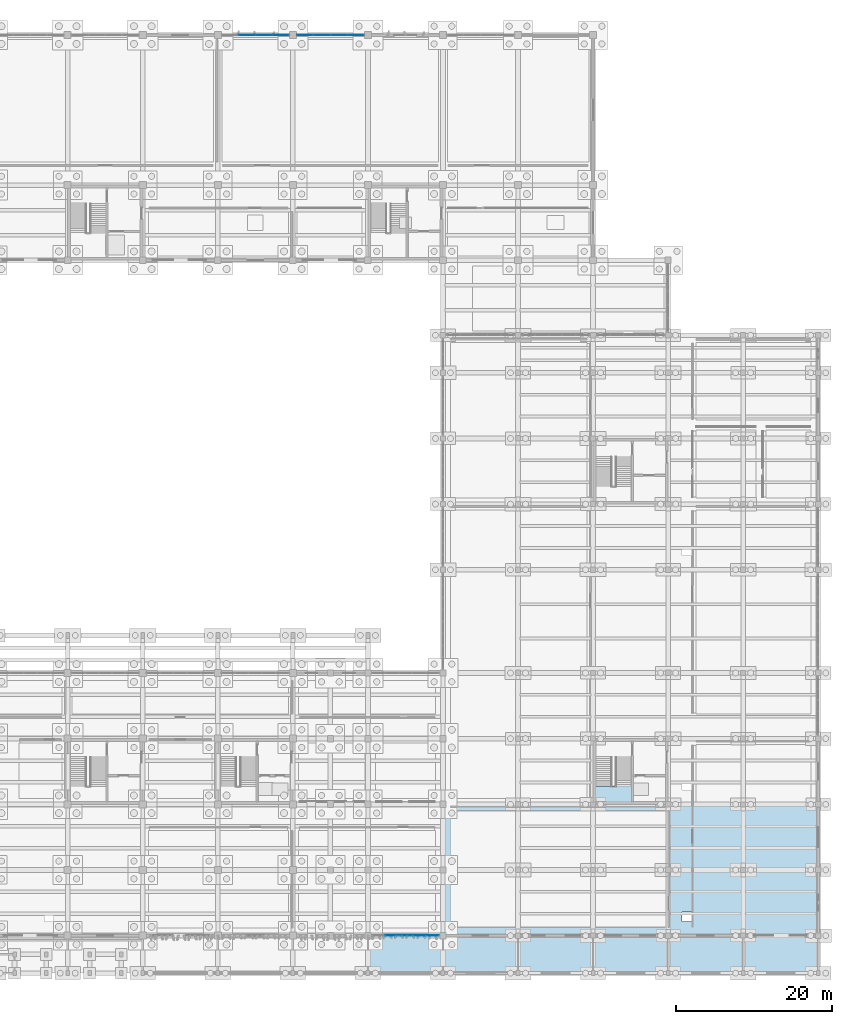
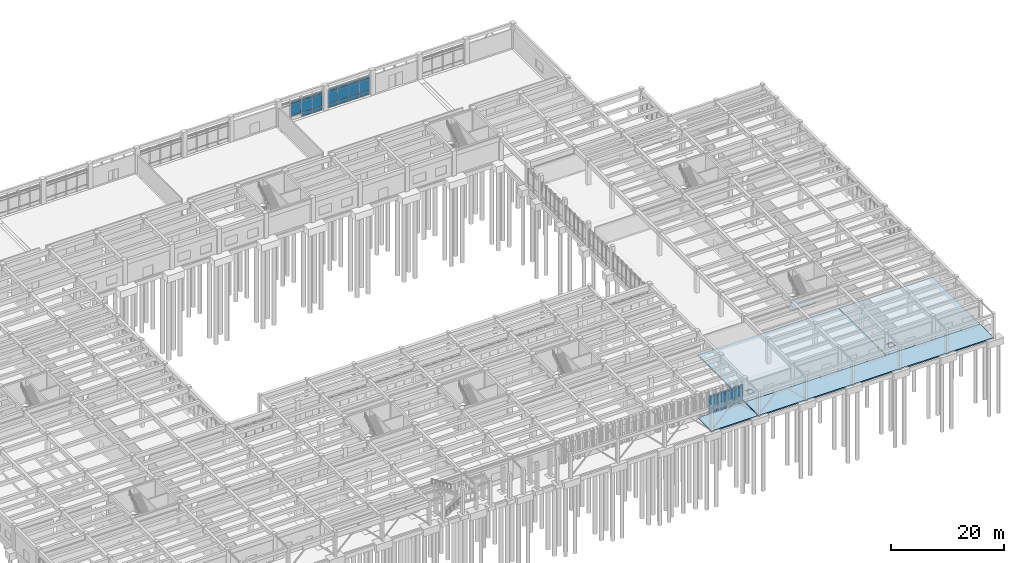
# One storey, part 62 of 102: 32 plates, 5 slabs, 4 elements without a shape of their own.
"""IFC4 building model written with IfcOpenShell, lengths in metres."""

from ifc_helpers import new_model, si_unit, direction, frame, origin, origin_2d, place, context, subcontext, project, spatial, polyline, rectangle, outline, extrude, material, layer, layer_set, type_object, element, aggregate, save


model = new_model("IFC4")

# Units and contexts
model_context = context("Model", 3, precision=1e-05, world=origin(), true_north=direction((0.0, 1.0)))
body_context = subcontext(model_context, "Body", "Model", "MODEL_VIEW")
ifc_project = project(units=[si_unit("LENGTHUNIT", "METRE"), si_unit("AREAUNIT", "SQUARE_METRE"), si_unit("VOLUMEUNIT", "CUBIC_METRE"), si_unit("PLANEANGLEUNIT", "RADIAN"), si_unit("MASSUNIT", "GRAM", prefix="KILO")], contexts=[model_context])

# Site, building, storey
site_placement = place(None, origin())
site = spatial("IfcSite", under=ifc_project, at=site_placement, CompositionType="ELEMENT")
building_placement = place(site_placement, origin())
building = spatial("IfcBuilding", under=site, at=building_placement, Name="Kolvemor Railside Polytechnic", CompositionType="ELEMENT")
storey_placement = place(building_placement, origin())
storey = spatial("IfcBuildingStorey", under=building, at=storey_placement, Name="L00", CompositionType="ELEMENT", Elevation=0.0)

# Curtain wall, plates
ifc_material_1 = material(Name="Anodised marine aluminium and laminated low-E glass", Category="aluminium")
ifc_layer_1 = layer(ifc_material_1, 0.179931640625, Name="CW-UNIT-WKS")
ifc_layer_set_1 = layer_set([ifc_layer_1], Name="Anodised marine aluminium and laminated low-E glass")
curtain_wall_type_1 = type_object("IfcCurtainWallType", Name="CW-UNIT-WKS", PredefinedType="USERDEFINED", material=ifc_layer_set_1)
curtain_wall_1_placement = place(storey_placement, origin())
curtain_wall_1 = element("IfcCurtainWall", 1, at=curtain_wall_1_placement, inside=storey, type_object=curtain_wall_type_1, Name="Curtain Wall L00-019", ObjectType="UNITISED CURTAIN WALL", PredefinedType="USERDEFINED")
ifc_material_2 = material(Name="Hurricane-laminated solar-control low-E glass", Category="glass")
ifc_layer_2 = layer(ifc_material_2, 0.0419921875, Name="CWP-GLZ-11")
ifc_layer_set_2 = layer_set([ifc_layer_2], Name="Hurricane-laminated solar-control low-E glass")
plate_type_1 = type_object("IfcPlateType", Name="CWP-GLZ-11", PredefinedType="CURTAIN_PANEL", material=ifc_layer_set_2)
plate_1_placement = place(storey_placement, frame((113.628662109375, 120.0, 0.074951171875), z_axis=(0.0, 0.0, 1.0), x_axis=(-1.0, 0.0, 0.0)))
plate_1 = element("IfcPlate", 2, at=plate_1_placement, type_object=plate_type_1, Name="CW-WKS panel 1.1", PredefinedType="CURTAIN_PANEL", context=body_context, shape_type="SweptSolid", body=[
    extrude(rectangle(XDim=2.052490234375, YDim=0.0419921875, at=origin_2d()), origin(), (0.0, 0.0, 1.0), 0.78759765625),
])
plate_2_placement = place(storey_placement, frame((113.628662109375, 120.0, 0.9375), z_axis=(0.0, 0.0, 1.0), x_axis=(-1.0, 0.0, 0.0)))
plate_2 = element("IfcPlate", 3, at=plate_2_placement, type_object=plate_type_1, Name="CW-WKS panel 1.2", PredefinedType="CURTAIN_PANEL", context=body_context, shape_type="SweptSolid", body=[
    extrude(rectangle(XDim=2.052490234375, YDim=0.0419921875, at=origin_2d()), origin(), (0.0, 0.0, 1.0), 2.514892578125),
])
plate_3_placement = place(storey_placement, frame((113.628662109375, 120.0, 3.527587890625), z_axis=(0.0, 0.0, 1.0), x_axis=(-1.0, 0.0, 0.0)))
plate_3 = element("IfcPlate", 4, at=plate_3_placement, type_object=plate_type_1, Name="CW-WKS panel 1.3", PredefinedType="CURTAIN_PANEL", context=body_context, shape_type="SweptSolid", body=[
    extrude(rectangle(XDim=2.052490234375, YDim=0.0419921875, at=origin_2d()), origin(), (0.0, 0.0, 1.0), 0.4375),
])
plate_4_placement = place(storey_placement, frame((111.482421875, 120.0, 0.074951171875), z_axis=(0.0, 0.0, 1.0), x_axis=(-1.0, 0.0, 0.0)))
plate_4 = element("IfcPlate", 5, at=plate_4_placement, type_object=plate_type_1, Name="CW-WKS panel 2.1", PredefinedType="CURTAIN_PANEL", context=body_context, shape_type="SweptSolid", body=[
    extrude(rectangle(XDim=2.090087890625, YDim=0.0419921875, at=origin_2d()), origin(), (0.0, 0.0, 1.0), 0.78759765625),
])
plate_5_placement = place(storey_placement, frame((111.482421875, 120.0, 0.9375), z_axis=(0.0, 0.0, 1.0), x_axis=(-1.0, 0.0, 0.0)))
plate_5 = element("IfcPlate", 6, at=plate_5_placement, type_object=plate_type_1, Name="CW-WKS panel 2.2", PredefinedType="CURTAIN_PANEL", context=body_context, shape_type="SweptSolid", body=[
    extrude(rectangle(XDim=2.090087890625, YDim=0.0419921875, at=origin_2d()), origin(), (0.0, 0.0, 1.0), 2.514892578125),
])
plate_6_placement = place(storey_placement, frame((111.482421875, 120.0, 3.527587890625), z_axis=(0.0, 0.0, 1.0), x_axis=(-1.0, 0.0, 0.0)))
plate_6 = element("IfcPlate", 7, at=plate_6_placement, type_object=plate_type_1, Name="CW-WKS panel 2.3", PredefinedType="CURTAIN_PANEL", context=body_context, shape_type="SweptSolid", body=[
    extrude(rectangle(XDim=2.090087890625, YDim=0.0419921875, at=origin_2d()), origin(), (0.0, 0.0, 1.0), 0.4375),
])
plate_7_placement = place(storey_placement, frame((109.3173828125, 120.0, 0.9375), z_axis=(0.0, 0.0, 1.0), x_axis=(-1.0, 0.0, 0.0)))
plate_7 = element("IfcPlate", 8, at=plate_7_placement, type_object=plate_type_1, Name="CW-WKS panel 3.2", PredefinedType="CURTAIN_PANEL", context=body_context, shape_type="SweptSolid", body=[
    extrude(rectangle(XDim=2.090087890625, YDim=0.0419921875, at=origin_2d()), origin(), (0.0, 0.0, 1.0), 2.514892578125),
])
plate_8_placement = place(storey_placement, frame((109.3173828125, 120.0, 3.527587890625), z_axis=(0.0, 0.0, 1.0), x_axis=(-1.0, 0.0, 0.0)))
plate_8 = element("IfcPlate", 9, at=plate_8_placement, type_object=plate_type_1, Name="CW-WKS panel 3.3", PredefinedType="CURTAIN_PANEL", context=body_context, shape_type="SweptSolid", body=[
    extrude(rectangle(XDim=2.090087890625, YDim=0.0419921875, at=origin_2d()), origin(), (0.0, 0.0, 1.0), 0.4375),
])
aggregate(curtain_wall_1, [plate_1, plate_2, plate_3, plate_4, plate_5, plate_6, plate_7, plate_8])

curtain_wall_2_placement = place(storey_placement, origin())
curtain_wall_2 = element("IfcCurtainWall", 10, at=curtain_wall_2_placement, inside=storey, type_object=curtain_wall_type_1, Name="Curtain Wall L00-022", ObjectType="UNITISED CURTAIN WALL", PredefinedType="USERDEFINED")
ifc_material_3 = material(Name="Hurricane-laminated solar-control low-E glass", Category="glass")
ifc_layer_3 = layer(ifc_material_3, 0.0439453125, Name="CWP-GLZ-12")
ifc_layer_set_3 = layer_set([ifc_layer_3], Name="Hurricane-laminated solar-control low-E glass")
plate_type_2 = type_object("IfcPlateType", Name="CWP-GLZ-12", PredefinedType="CURTAIN_PANEL", material=ifc_layer_set_3)
plate_9_placement = place(storey_placement, frame((123.228759765625, 120.0, 0.074951171875), z_axis=(0.0, 0.0, 1.0), x_axis=(-1.0, 0.0, 0.0)))
plate_9 = element("IfcPlate", 11, at=plate_9_placement, type_object=plate_type_2, Name="CW-WKS panel 1.1", PredefinedType="CURTAIN_PANEL", context=body_context, shape_type="SweptSolid", body=[
    extrude(rectangle(XDim=2.052490234375, YDim=0.0439453125, at=origin_2d()), origin(), (0.0, 0.0, 1.0), 0.78759765625),
])
plate_10_placement = place(storey_placement, frame((123.228759765625, 120.0, 0.9375), z_axis=(0.0, 0.0, 1.0), x_axis=(-1.0, 0.0, 0.0)))
plate_10 = element("IfcPlate", 12, at=plate_10_placement, type_object=plate_type_2, Name="CW-WKS panel 1.2", PredefinedType="CURTAIN_PANEL", context=body_context, shape_type="SweptSolid", body=[
    extrude(rectangle(XDim=2.052490234375, YDim=0.0439453125, at=origin_2d()), origin(), (0.0, 0.0, 1.0), 2.514892578125),
])
plate_11_placement = place(storey_placement, frame((123.228759765625, 120.0, 3.527587890625), z_axis=(0.0, 0.0, 1.0), x_axis=(-1.0, 0.0, 0.0)))
plate_11 = element("IfcPlate", 13, at=plate_11_placement, type_object=plate_type_2, Name="CW-WKS panel 1.3", PredefinedType="CURTAIN_PANEL", context=body_context, shape_type="SweptSolid", body=[
    extrude(rectangle(XDim=2.052490234375, YDim=0.0439453125, at=origin_2d()), origin(), (0.0, 0.0, 1.0), 0.4375),
])
plate_12_placement = place(storey_placement, frame((121.08251953125, 120.0, 0.074951171875), z_axis=(0.0, 0.0, 1.0), x_axis=(-1.0, 0.0, 0.0)))
plate_12 = element("IfcPlate", 14, at=plate_12_placement, type_object=plate_type_2, Name="CW-WKS panel 2.1", PredefinedType="CURTAIN_PANEL", context=body_context, shape_type="SweptSolid", body=[
    extrude(rectangle(XDim=2.090087890625, YDim=0.0439453125, at=origin_2d()), origin(), (0.0, 0.0, 1.0), 0.78759765625),
])
plate_13_placement = place(storey_placement, frame((121.08251953125, 120.0, 0.9375), z_axis=(0.0, 0.0, 1.0), x_axis=(-1.0, 0.0, 0.0)))
plate_13 = element("IfcPlate", 15, at=plate_13_placement, type_object=plate_type_2, Name="CW-WKS panel 2.2", PredefinedType="CURTAIN_PANEL", context=body_context, shape_type="SweptSolid", body=[
    extrude(rectangle(XDim=2.090087890625, YDim=0.0439453125, at=origin_2d()), origin(), (0.0, 0.0, 1.0), 2.514892578125),
])
plate_14_placement = place(storey_placement, frame((121.08251953125, 120.0, 3.527587890625), z_axis=(0.0, 0.0, 1.0), x_axis=(-1.0, 0.0, 0.0)))
plate_14 = element("IfcPlate", 16, at=plate_14_placement, type_object=plate_type_2, Name="CW-WKS panel 2.3", PredefinedType="CURTAIN_PANEL", context=body_context, shape_type="SweptSolid", body=[
    extrude(rectangle(XDim=2.090087890625, YDim=0.0439453125, at=origin_2d()), origin(), (0.0, 0.0, 1.0), 0.4375),
])
plate_15_placement = place(storey_placement, frame((118.91748046875, 120.0, 0.074951171875), z_axis=(0.0, 0.0, 1.0), x_axis=(-1.0, 0.0, 0.0)))
plate_15 = element("IfcPlate", 17, at=plate_15_placement, type_object=plate_type_2, Name="CW-WKS panel 3.1", PredefinedType="CURTAIN_PANEL", context=body_context, shape_type="SweptSolid", body=[
    extrude(rectangle(XDim=2.090087890625, YDim=0.0439453125, at=origin_2d()), origin(), (0.0, 0.0, 1.0), 0.78759765625),
])
plate_16_placement = place(storey_placement, frame((118.91748046875, 120.0, 0.9375), z_axis=(0.0, 0.0, 1.0), x_axis=(-1.0, 0.0, 0.0)))
plate_16 = element("IfcPlate", 18, at=plate_16_placement, type_object=plate_type_2, Name="CW-WKS panel 3.2", PredefinedType="CURTAIN_PANEL", context=body_context, shape_type="SweptSolid", body=[
    extrude(rectangle(XDim=2.090087890625, YDim=0.0439453125, at=origin_2d()), origin(), (0.0, 0.0, 1.0), 2.514892578125),
])
plate_17_placement = place(storey_placement, frame((118.91748046875, 120.0, 3.527587890625), z_axis=(0.0, 0.0, 1.0), x_axis=(-1.0, 0.0, 0.0)))
plate_17 = element("IfcPlate", 19, at=plate_17_placement, type_object=plate_type_2, Name="CW-WKS panel 3.3", PredefinedType="CURTAIN_PANEL", context=body_context, shape_type="SweptSolid", body=[
    extrude(rectangle(XDim=2.090087890625, YDim=0.0439453125, at=origin_2d()), origin(), (0.0, 0.0, 1.0), 0.4375),
])
plate_18_placement = place(storey_placement, frame((116.771240234375, 120.0, 0.074951171875), z_axis=(0.0, 0.0, 1.0), x_axis=(-1.0, 0.0, 0.0)))
plate_18 = element("IfcPlate", 20, at=plate_18_placement, type_object=plate_type_2, Name="CW-WKS panel 4.1", PredefinedType="CURTAIN_PANEL", context=body_context, shape_type="SweptSolid", body=[
    extrude(rectangle(XDim=2.052490234375, YDim=0.0439453125, at=origin_2d()), origin(), (0.0, 0.0, 1.0), 0.78759765625),
])
plate_19_placement = place(storey_placement, frame((116.771240234375, 120.0, 0.9375), z_axis=(0.0, 0.0, 1.0), x_axis=(-1.0, 0.0, 0.0)))
plate_19 = element("IfcPlate", 21, at=plate_19_placement, type_object=plate_type_2, Name="CW-WKS panel 4.2", PredefinedType="CURTAIN_PANEL", context=body_context, shape_type="SweptSolid", body=[
    extrude(rectangle(XDim=2.052490234375, YDim=0.0439453125, at=origin_2d()), origin(), (0.0, 0.0, 1.0), 2.514892578125),
])
plate_20_placement = place(storey_placement, frame((116.771240234375, 120.0, 3.527587890625), z_axis=(0.0, 0.0, 1.0), x_axis=(-1.0, 0.0, 0.0)))
plate_20 = element("IfcPlate", 22, at=plate_20_placement, type_object=plate_type_2, Name="CW-WKS panel 4.3", PredefinedType="CURTAIN_PANEL", context=body_context, shape_type="SweptSolid", body=[
    extrude(rectangle(XDim=2.052490234375, YDim=0.0439453125, at=origin_2d()), origin(), (0.0, 0.0, 1.0), 0.4375),
])
aggregate(curtain_wall_2, [plate_9, plate_10, plate_11, plate_12, plate_13, plate_14, plate_15, plate_16, plate_17, plate_18, plate_19, plate_20])

ifc_material_4 = material(Name="Anodised marine aluminium and laminated low-E glass", Category="aluminium")
ifc_layer_4 = layer(ifc_material_4, 0.179931640625, Name="CW-UNIT-STD")
ifc_layer_set_4 = layer_set([ifc_layer_4], Name="Anodised marine aluminium and laminated low-E glass")
curtain_wall_type_2 = type_object("IfcCurtainWallType", Name="CW-UNIT-STD", PredefinedType="USERDEFINED", material=ifc_layer_set_4)
curtain_wall_3_placement = place(storey_placement, origin())
curtain_wall_3 = element("IfcCurtainWall", 23, at=curtain_wall_3_placement, inside=storey, type_object=curtain_wall_type_2, Name="Curtain Wall L00-095", ObjectType="UNITISED CURTAIN WALL", PredefinedType="USERDEFINED")
ifc_material_5 = material(Name="Hurricane-laminated solar-control low-E glass", Category="glass")
ifc_layer_5 = layer(ifc_material_5, 0.053955078125, Name="CWP-GLZ-17")
ifc_layer_set_5 = layer_set([ifc_layer_5], Name="Hurricane-laminated solar-control low-E glass")
plate_type_3 = type_object("IfcPlateType", Name="CWP-GLZ-17", PredefinedType="CURTAIN_PANEL", material=ifc_layer_set_5)
plate_21_placement = place(storey_placement, frame((127.867919921875, 4.800048828125, 0.074951171875), z_axis=(0.0, 0.0, 1.0), x_axis=(1.0, 0.0, 0.0)))
plate_21 = element("IfcPlate", 24, at=plate_21_placement, type_object=plate_type_3, Name="CW-STD panel 2.1", PredefinedType="CURTAIN_PANEL", context=body_context, shape_type="SweptSolid", body=[
    extrude(rectangle(XDim=1.656982421875, YDim=0.053955078125, at=origin_2d()), origin(), (0.0, 0.0, 1.0), 0.78759765625),
])
plate_22_placement = place(storey_placement, frame((127.867919921875, 4.800048828125, 0.9375), z_axis=(0.0, 0.0, 1.0), x_axis=(1.0, 0.0, 0.0)))
plate_22 = element("IfcPlate", 25, at=plate_22_placement, type_object=plate_type_3, Name="CW-STD panel 2.2", PredefinedType="CURTAIN_PANEL", context=body_context, shape_type="SweptSolid", body=[
    extrude(rectangle(XDim=1.656982421875, YDim=0.053955078125, at=origin_2d()), origin(), (0.0, 0.0, 1.0), 2.514892578125),
])
plate_23_placement = place(storey_placement, frame((127.867919921875, 4.800048828125, 3.527587890625), z_axis=(0.0, 0.0, 1.0), x_axis=(1.0, 0.0, 0.0)))
plate_23 = element("IfcPlate", 26, at=plate_23_placement, type_object=plate_type_3, Name="CW-STD panel 2.3", PredefinedType="CURTAIN_PANEL", context=body_context, shape_type="SweptSolid", body=[
    extrude(rectangle(XDim=1.656982421875, YDim=0.053955078125, at=origin_2d()), origin(), (0.0, 0.0, 1.0), 0.4375),
])
plate_24_placement = place(storey_placement, frame((129.60009765625, 4.800048828125, 0.074951171875), z_axis=(0.0, 0.0, 1.0), x_axis=(1.0, 0.0, 0.0)))
plate_24 = element("IfcPlate", 27, at=plate_24_placement, type_object=plate_type_3, Name="CW-STD panel 3.1", PredefinedType="CURTAIN_PANEL", context=body_context, shape_type="SweptSolid", body=[
    extrude(rectangle(XDim=1.656982421875, YDim=0.053955078125, at=origin_2d()), origin(), (0.0, 0.0, 1.0), 0.78759765625),
])
plate_25_placement = place(storey_placement, frame((129.60009765625, 4.800048828125, 0.9375), z_axis=(0.0, 0.0, 1.0), x_axis=(1.0, 0.0, 0.0)))
plate_25 = element("IfcPlate", 28, at=plate_25_placement, type_object=plate_type_3, Name="CW-STD panel 3.2", PredefinedType="CURTAIN_PANEL", context=body_context, shape_type="SweptSolid", body=[
    extrude(rectangle(XDim=1.656982421875, YDim=0.053955078125, at=origin_2d()), origin(), (0.0, 0.0, 1.0), 2.514892578125),
])
plate_26_placement = place(storey_placement, frame((129.60009765625, 4.800048828125, 3.527587890625), z_axis=(0.0, 0.0, 1.0), x_axis=(1.0, 0.0, 0.0)))
plate_26 = element("IfcPlate", 29, at=plate_26_placement, type_object=plate_type_3, Name="CW-STD panel 3.3", PredefinedType="CURTAIN_PANEL", context=body_context, shape_type="SweptSolid", body=[
    extrude(rectangle(XDim=1.656982421875, YDim=0.053955078125, at=origin_2d()), origin(), (0.0, 0.0, 1.0), 0.4375),
])
plate_27_placement = place(storey_placement, frame((131.33203125, 4.800048828125, 0.074951171875), z_axis=(0.0, 0.0, 1.0), x_axis=(1.0, 0.0, 0.0)))
plate_27 = element("IfcPlate", 30, at=plate_27_placement, type_object=plate_type_3, Name="CW-STD panel 4.1", PredefinedType="CURTAIN_PANEL", context=body_context, shape_type="SweptSolid", body=[
    extrude(rectangle(XDim=1.656982421875, YDim=0.053955078125, at=origin_2d()), origin(), (0.0, 0.0, 1.0), 0.78759765625),
])
plate_28_placement = place(storey_placement, frame((131.33203125, 4.800048828125, 0.9375), z_axis=(0.0, 0.0, 1.0), x_axis=(1.0, 0.0, 0.0)))
plate_28 = element("IfcPlate", 31, at=plate_28_placement, type_object=plate_type_3, Name="CW-STD panel 4.2", PredefinedType="CURTAIN_PANEL", context=body_context, shape_type="SweptSolid", body=[
    extrude(rectangle(XDim=1.656982421875, YDim=0.053955078125, at=origin_2d()), origin(), (0.0, 0.0, 1.0), 2.514892578125),
])
plate_29_placement = place(storey_placement, frame((131.33203125, 4.800048828125, 3.527587890625), z_axis=(0.0, 0.0, 1.0), x_axis=(1.0, 0.0, 0.0)))
plate_29 = element("IfcPlate", 32, at=plate_29_placement, type_object=plate_type_3, Name="CW-STD panel 4.3", PredefinedType="CURTAIN_PANEL", context=body_context, shape_type="SweptSolid", body=[
    extrude(rectangle(XDim=1.656982421875, YDim=0.053955078125, at=origin_2d()), origin(), (0.0, 0.0, 1.0), 0.4375),
])
plate_30_placement = place(storey_placement, frame((133.045166015625, 4.800048828125, 0.074951171875), z_axis=(0.0, 0.0, 1.0), x_axis=(1.0, 0.0, 0.0)))
plate_30 = element("IfcPlate", 33, at=plate_30_placement, type_object=plate_type_3, Name="CW-STD panel 5.1", PredefinedType="CURTAIN_PANEL", context=body_context, shape_type="SweptSolid", body=[
    extrude(rectangle(XDim=1.619384765625, YDim=0.053955078125, at=origin_2d()), origin(), (0.0, 0.0, 1.0), 0.78759765625),
])
plate_31_placement = place(storey_placement, frame((133.045166015625, 4.800048828125, 0.9375), z_axis=(0.0, 0.0, 1.0), x_axis=(1.0, 0.0, 0.0)))
plate_31 = element("IfcPlate", 34, at=plate_31_placement, type_object=plate_type_3, Name="CW-STD panel 5.2", PredefinedType="CURTAIN_PANEL", context=body_context, shape_type="SweptSolid", body=[
    extrude(rectangle(XDim=1.619384765625, YDim=0.053955078125, at=origin_2d()), origin(), (0.0, 0.0, 1.0), 2.514892578125),
])
plate_32_placement = place(storey_placement, frame((133.045166015625, 4.800048828125, 3.527587890625), z_axis=(0.0, 0.0, 1.0), x_axis=(1.0, 0.0, 0.0)))
plate_32 = element("IfcPlate", 35, at=plate_32_placement, type_object=plate_type_3, Name="CW-STD panel 5.3", PredefinedType="CURTAIN_PANEL", context=body_context, shape_type="SweptSolid", body=[
    extrude(rectangle(XDim=1.619384765625, YDim=0.053955078125, at=origin_2d()), origin(), (0.0, 0.0, 1.0), 0.4375),
])
aggregate(curtain_wall_3, [plate_21, plate_22, plate_23, plate_24, plate_25, plate_26, plate_27, plate_28, plate_29, plate_30, plate_31, plate_32])

# Slabs
ifc_material_6 = material(Name="Concrete C40/50", Category="concrete")
ifc_layer_6 = layer(ifc_material_6, 0.260009765625, Name="SLB-BASE-ARC")
ifc_layer_set_6 = layer_set([ifc_layer_6], Name="Concrete C40/50")
slab_type_1 = type_object("IfcSlabType", Name="SLB-BASE-ARC", PredefinedType="BASESLAB", material=ifc_layer_set_6)
slab_1_placement = place(storey_placement, frame((0.0, 0.0, -0.260009765625)))
element("IfcSlab", 36, at=slab_1_placement, inside=storey, type_object=slab_type_1, Name="South Storm Arcade Paving Slab L00-24", PredefinedType="BASESLAB", context=body_context, shape_type="SweptSolid", body=[
    extrude(outline(polyline([(124.800048828125, 0.0), (134.324951171875, 0.0), (134.324951171875, 4.800048828125), (124.800048828125, 4.800048828125), (124.800048828125, 0.0)])), origin(), (0.0, 0.0, 1.0), 0.260009765625),
])
slab_2_placement = place(storey_placement, frame((0.0, 0.0, -0.260009765625)))
element("IfcSlab", 37, at=slab_2_placement, inside=storey, type_object=slab_type_1, Name="South Storm Arcade Paving Slab L00-25", PredefinedType="BASESLAB", context=body_context, shape_type="SweptSolid", body=[
    extrude(outline(polyline([(134.47509765625, 0.0), (182.39990234375, 0.0), (182.39990234375, 4.800048828125), (134.47509765625, 4.800048828125), (134.47509765625, 0.0)])), origin(), (0.0, 0.0, 1.0), 0.260009765625),
])
ifc_material_7 = material(Name="Concrete C40/50", Category="concrete")
ifc_layer_7 = layer(ifc_material_7, 0.300048828125, Name="SLB-BASE-STD")
ifc_layer_set_7 = layer_set([ifc_layer_7], Name="Concrete C40/50")
slab_type_2 = type_object("IfcSlabType", Name="SLB-BASE-STD", PredefinedType="BASESLAB", material=ifc_layer_set_7)
slab_3_placement = place(storey_placement, frame((0.0, 0.0, -0.300048828125)))
element("IfcSlab", 38, at=slab_3_placement, inside=storey, type_object=slab_type_2, Name="Union Wing Base Slab L00-16", PredefinedType="BASESLAB", context=body_context, shape_type="SweptSolid", body=[
    extrude(outline(polyline([(134.47509765625, 4.800048828125), (163.199951171875, 4.800048828125), (163.199951171875, 21.60009765625), (134.47509765625, 21.60009765625), (134.47509765625, 4.800048828125)]), holes=[polyline([(136.199951171875, 6.60009765625), (137.39990234375, 6.60009765625), (137.39990234375, 7.800048828125), (136.199951171875, 7.800048828125), (136.199951171875, 6.60009765625)])]), origin(), (0.0, 0.0, 1.0), 0.300048828125),
])
slab_4_placement = place(storey_placement, frame((0.0, 0.0, -0.300048828125)))
element("IfcSlab", 39, at=slab_4_placement, inside=storey, type_object=slab_type_2, Name="Union Wing Base Slab L00-19", PredefinedType="BASESLAB", context=body_context, shape_type="SweptSolid", body=[
    extrude(outline(polyline([(163.199951171875, 4.800048828125), (182.39990234375, 4.800048828125), (182.39990234375, 21.60009765625), (163.199951171875, 21.60009765625), (163.199951171875, 4.800048828125)]), holes=[polyline([(165.0, 6.60009765625), (166.199951171875, 6.60009765625), (166.199951171875, 7.800048828125), (165.0, 7.800048828125), (165.0, 6.60009765625)])]), origin(), (0.0, 0.0, 1.0), 0.300048828125),
])

# Stair, slab
ifc_material_8 = material(Name="Concrete C40/50", Category="concrete")
stair_type = type_object("IfcStairType", Name="STR-CORE-540", PredefinedType="HALF_TURN_STAIR", material=ifc_material_8)
stair_placement = place(storey_placement, origin())
stair = element("IfcStair", 40, at=stair_placement, inside=storey, type_object=stair_type, Name="Core Stair ST-6 (L00 to L01)", PredefinedType="HALF_TURN_STAIR")
ifc_material_9 = material(Name="Concrete C40/50", Category="concrete")
ifc_layer_8 = layer(ifc_material_9, 0.199951171875, Name="SLB-LND-200")
ifc_layer_set_8 = layer_set([ifc_layer_8], Name="Concrete C40/50")
slab_type_3 = type_object("IfcSlabType", Name="SLB-LND-200", PredefinedType="LANDING", material=ifc_layer_set_8)
slab_5_placement = place(storey_placement, frame((0.0, 0.0, 2.5)))
slab_5 = element("IfcSlab", 41, at=slab_5_placement, type_object=slab_type_3, Name="ST-6-L00 landing 1", PredefinedType="LANDING", context=body_context, shape_type="SweptSolid", body=[
    extrude(outline(polyline([(153.75, 21.75), (158.699951171875, 21.75), (158.699951171875, 23.919921875), (153.75, 23.919921875), (153.75, 21.75)])), origin(), (0.0, 0.0, 1.0), 0.199951171875),
])
aggregate(stair, [slab_5])

save(model, "model.ifc")
